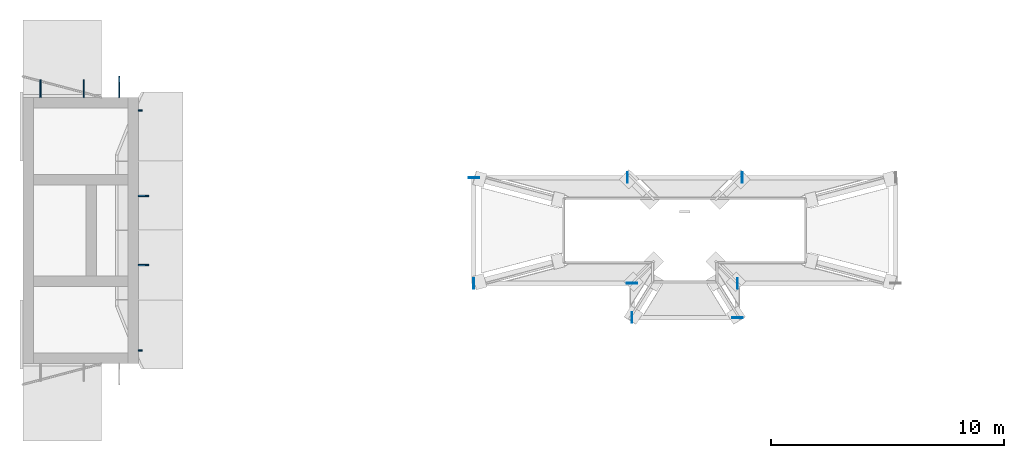
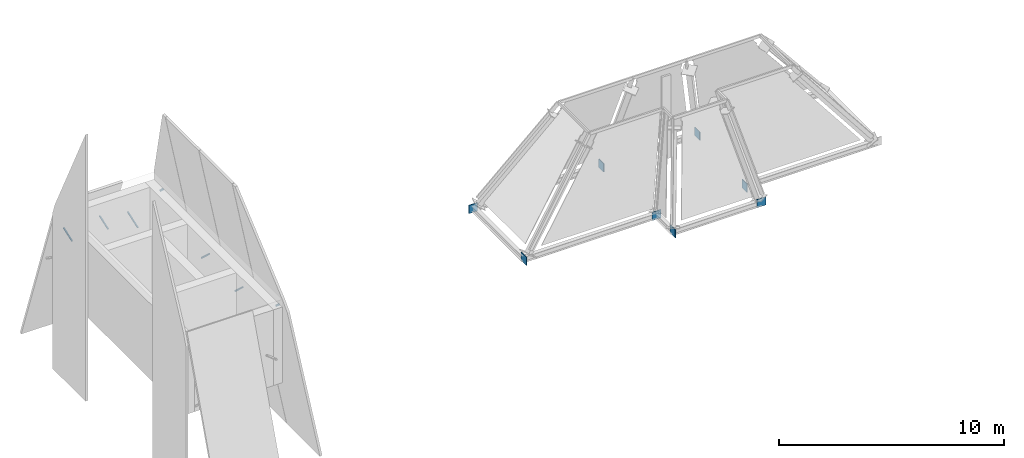
# One storey, part 3 of 5: 15 discrete accessories.
"""IFC4 building model written with IfcOpenShell, lengths in metres."""

from ifc_helpers import new_model, si_unit, direction, frame, origin, origin_2d, place, context, subcontext, project, spatial, rectangle, extrude, material, material_profile, profile_set, type_object, element, save


model = new_model("IFC4")

# Units and contexts
model_context = context("Model", 3, precision=1e-05, world=origin(), true_north=direction((0.0, 1.0)))
body_context = subcontext(model_context, "Body", "Model", "MODEL_VIEW")
ifc_project = project(units=[si_unit("LENGTHUNIT", "METRE"), si_unit("AREAUNIT", "SQUARE_METRE"), si_unit("VOLUMEUNIT", "CUBIC_METRE"), si_unit("PLANEANGLEUNIT", "RADIAN"), si_unit("MASSUNIT", "GRAM", prefix="KILO")], contexts=[model_context])

# Site, building, storey
site_placement = place(None, origin())
site = spatial("IfcSite", under=ifc_project, at=site_placement, CompositionType="ELEMENT")
building_placement = place(site_placement, origin())
building = spatial("IfcBuilding", under=site, at=building_placement, Name="Perihelion Cross Residences", CompositionType="ELEMENT")
storey_placement = place(building_placement, frame((0.0, 0.0, 316.800048828125)))
storey = spatial("IfcBuildingStorey", under=building, at=storey_placement, Name="L80", CompositionType="ELEMENT", Elevation=316.800048828125)

# Discrete accessories
ifc_material_1 = material(Name="Structural steel S355 plate", Category="steel")
ifc_material_profile_1 = material_profile(ifc_material_1, rectangle(XDim=0.449951171875, YDim=0.449951171875, at=origin_2d()), Name="Crown end plate")
ifc_profile_set_1 = profile_set([ifc_material_profile_1], Name="Structural steel S355 plate")
discrete_accessory_type_1 = type_object("IfcDiscreteAccessoryType", Name="Crown end plate", PredefinedType="BRACKET", material=ifc_profile_set_1)
for number, where, z_axis, x_axis, name in (
    (1, (2.47314453125, 2.26123046875, -0.401123046875), (-1.0, 0.0, 0.0), (0.0, -1.0, 0.0), "Crown end plate"),
    (2, (-2.443359375, 2.26123046875, -0.401123046875), (-1.0, 0.0, 0.0), (0.0, -1.0, 0.0), "Crown end plate"),
):
    element("IfcDiscreteAccessory", number, at=place(storey_placement, frame(where, z_axis=z_axis, x_axis=x_axis)), inside=storey, type_object=discrete_accessory_type_1, Name=name, PredefinedType="BRACKET", context=body_context, shape_type="SweptSolid", body=[
        extrude(rectangle(XDim=0.449951171875, YDim=0.449951171875, at=origin_2d()), origin(), (0.0, 0.0, 1.0), 0.02978515625),
    ])
discrete_accessory_1_placement = place(storey_placement, frame((-9.03515625, 2.2763671875, -0.401123046875), z_axis=(0.0, -1.0, 0.0), x_axis=(1.0, 0.0, 0.0)))
element("IfcDiscreteAccessory", 3, at=discrete_accessory_1_placement, inside=storey, type_object=discrete_accessory_type_1, Name="Crown end plate", PredefinedType="BRACKET", context=body_context, shape_type="SweptSolid", body=[
    extrude(rectangle(XDim=0.449951171875, YDim=0.449951171875, at=origin_2d()), origin(), (0.0, 0.0, 1.0), 0.030029296875),
])
discrete_accessory_2_placement = place(storey_placement, frame((-9.050048828125, -2.26123046875, -0.401123046875), z_axis=(1.0, 0.0, 0.0), x_axis=(0.0, 1.0, 0.0)))
element("IfcDiscreteAccessory", 4, at=discrete_accessory_2_placement, inside=storey, type_object=discrete_accessory_type_1, Name="Crown end plate", PredefinedType="BRACKET", context=body_context, shape_type="SweptSolid", body=[
    extrude(rectangle(XDim=0.449951171875, YDim=0.449951171875, at=origin_2d()), origin(), (0.0, 0.0, 1.0), 0.02978515625),
])
for number, where, z_axis, x_axis, name in (
    (5, (-2.26123046875, -2.246337890625, -0.401123046875), (0.0, -1.0, 0.0), (1.0, 0.0, 0.0), "Crown end plate"),
    (6, (-2.2763671875, -3.736328125, -0.401123046875), (1.0, 0.0, 0.0), (0.0, 1.0, 0.0), "Crown end plate"),
    (7, (2.26123046875, -3.751220703125, -0.401123046875), (0.0, 1.0, 0.0), (-1.0, 0.0, 0.0), "Crown end plate"),
    (8, (2.246337890625, -2.26123046875, -0.401123046875), (1.0, 0.0, 0.0), (0.0, 1.0, 0.0), "Crown end plate"),
):
    element("IfcDiscreteAccessory", number, at=place(storey_placement, frame(where, z_axis=z_axis, x_axis=x_axis)), inside=storey, type_object=discrete_accessory_type_1, Name=name, PredefinedType="BRACKET", context=body_context, shape_type="SweptSolid", body=[
        extrude(rectangle(XDim=0.449951171875, YDim=0.449951171875, at=origin_2d()), origin(), (0.0, 0.0, 1.0), 0.030029296875),
    ])
ifc_material_2 = material(Name="Stainless steel", Category="steel")
ifc_material_profile_2 = material_profile(ifc_material_2, rectangle(XDim=0.06005859375, YDim=0.06005859375, at=origin_2d()), Name="Pylon facet bracket")
ifc_profile_set_2 = profile_set([ifc_material_profile_2], Name="Stainless steel")
discrete_accessory_type_2 = type_object("IfcDiscreteAccessoryType", Name="Pylon facet bracket", PredefinedType="BRACKET", material=ifc_profile_set_2)
discrete_accessory_3_placement = place(storey_placement, frame((-24.22021484375, 6.590576171875, 2.08447265625), z_axis=(0.0, -0.94222012533, -0.334994381182), x_axis=(1.0, 0.0, 0.0)))
element("IfcDiscreteAccessory", 9, at=discrete_accessory_3_placement, inside=storey, type_object=discrete_accessory_type_2, Name="Pylon facet bracket, west stack", PredefinedType="BRACKET", context=body_context, shape_type="SweptSolid", body=[
    extrude(rectangle(XDim=0.06005859375, YDim=0.06005859375, at=origin_2d()), origin(), (0.0, 0.0, 1.0), 0.9453125),
])
for number, where, z_axis, x_axis, name in (
    (10, (-27.585205078125, 6.4482421875, 2.485107421875), (0.0, -0.942193125577, -0.335070312196), (1.0, 0.0, 0.0), "Pylon facet bracket, west stack"),
    (11, (-25.739990234375, 6.4482421875, 2.485107421875), (0.0, -0.942193125577, -0.335070312196), (1.0, 0.0, 0.0), "Pylon facet bracket, west stack"),
):
    element("IfcDiscreteAccessory", number, at=place(storey_placement, frame(where, z_axis=z_axis, x_axis=x_axis)), inside=storey, type_object=discrete_accessory_type_2, Name=name, PredefinedType="BRACKET", context=body_context, shape_type="SweptSolid", body=[
        extrude(rectangle(XDim=0.06005859375, YDim=0.06005859375, at=origin_2d()), origin(), (0.0, 0.0, 1.0), 0.794189453125),
    ])
discrete_accessory_4_placement = place(storey_placement, frame((-23.239501953125, -5.139404296875, 3.850830078125), z_axis=(-0.980695329699, 0.0, -0.195541991158), x_axis=(0.0, -1.0, 0.0)))
element("IfcDiscreteAccessory", 12, at=discrete_accessory_4_placement, inside=storey, type_object=discrete_accessory_type_2, Name="Pylon facet bracket, west stack", PredefinedType="BRACKET", context=body_context, shape_type="SweptSolid", body=[
    extrude(rectangle(XDim=0.06005859375, YDim=0.06005859375, at=origin_2d()), origin(), (0.0, 0.0, 1.0), 0.16357421875),
])
for number, where, z_axis, x_axis, name in (
    (13, (-22.96533203125, -1.4833984375, 2.4794921875), (-0.980580675691, 0.0, -0.196116135138), (0.0, -1.0, 0.0), "Pylon facet bracket, west stack"),
    (14, (-22.96533203125, 1.4833984375, 2.4794921875), (-0.980580675691, 0.0, -0.196116135138), (0.0, -1.0, 0.0), "Pylon facet bracket, west stack"),
):
    element("IfcDiscreteAccessory", number, at=place(storey_placement, frame(where, z_axis=z_axis, x_axis=x_axis)), inside=storey, type_object=discrete_accessory_type_2, Name=name, PredefinedType="BRACKET", context=body_context, shape_type="SweptSolid", body=[
        extrude(rectangle(XDim=0.06005859375, YDim=0.06005859375, at=origin_2d()), origin(), (0.0, 0.0, 1.0), 0.443115234375),
    ])
discrete_accessory_5_placement = place(storey_placement, frame((-23.239501953125, 5.139404296875, 3.850830078125), z_axis=(-0.980695329699, 0.0, -0.195541991158), x_axis=(0.0, -1.0, 0.0)))
element("IfcDiscreteAccessory", 15, at=discrete_accessory_5_placement, inside=storey, type_object=discrete_accessory_type_2, Name="Pylon facet bracket, west stack", PredefinedType="BRACKET", context=body_context, shape_type="SweptSolid", body=[
    extrude(rectangle(XDim=0.06005859375, YDim=0.06005859375, at=origin_2d()), origin(), (0.0, 0.0, 1.0), 0.16357421875),
])

save(model, "model.ifc")
